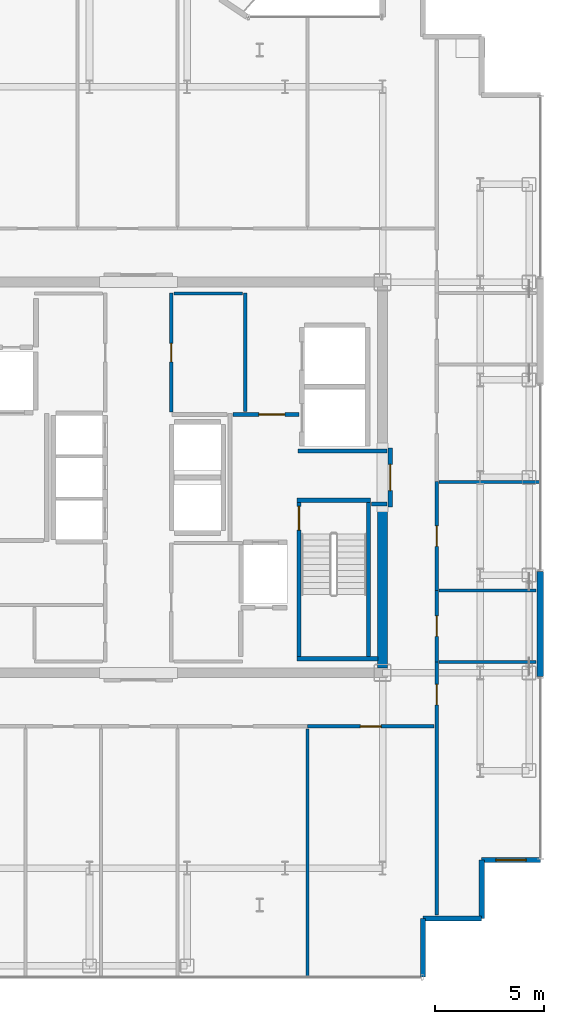
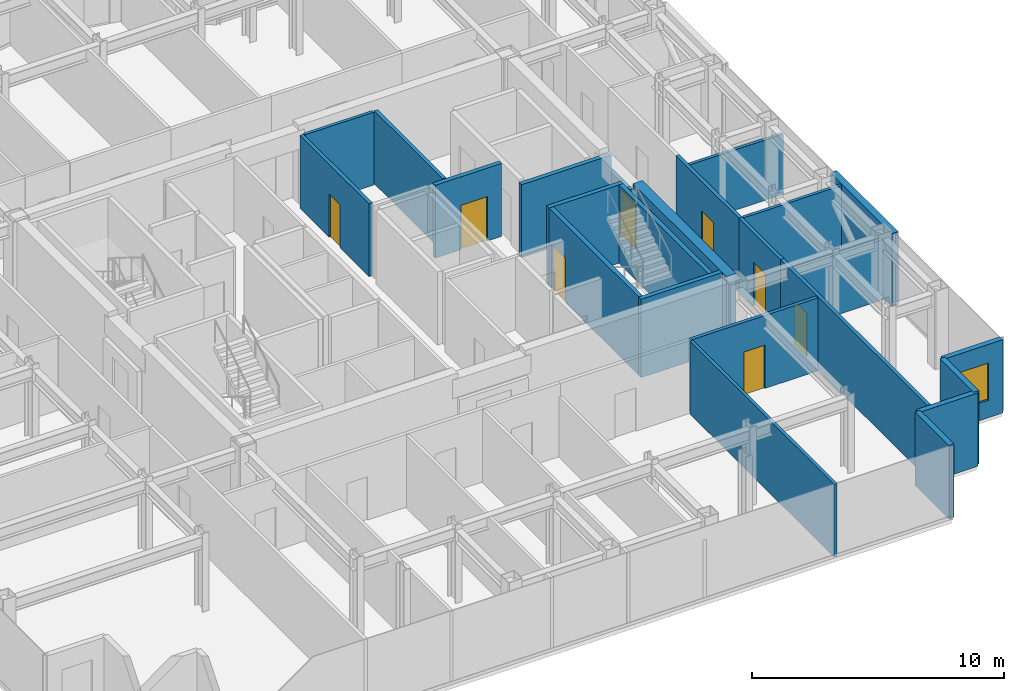
# One storey, part 13 of 16: 25 walls, 8 doors, 1 window, 9 openings.
"""IFC4 building model written with IfcOpenShell, lengths in metres."""

from ifc_helpers import new_model, si_unit, direction, frame, frame_2d, origin, place, context, subcontext, project, spatial, rectangle, extrude, source, transform, mapped, material, layer, layer_set, type_object, element, fill, save


model = new_model("IFC4")

# Units and contexts
model_context = context("Model", 3, precision=1e-05, world=origin(), true_north=direction((0.0, 1.0)))
body_context = subcontext(model_context, "Body", "Model", "MODEL_VIEW")
ifc_project = project(units=[si_unit("LENGTHUNIT", "METRE"), si_unit("AREAUNIT", "SQUARE_METRE"), si_unit("VOLUMEUNIT", "CUBIC_METRE"), si_unit("PLANEANGLEUNIT", "RADIAN"), si_unit("MASSUNIT", "GRAM", prefix="KILO")], contexts=[model_context])

# Site, building, storey
site_placement = place(None, origin())
site = spatial("IfcSite", under=ifc_project, at=site_placement, CompositionType="ELEMENT")
building_placement = place(site_placement, origin())
building = spatial("IfcBuilding", under=site, at=building_placement, Name="Nefas-Gora Pilgrimage Tower", CompositionType="ELEMENT")
storey_placement = place(building_placement, frame((0.0, 0.0, 287.39990234375)))
storey = spatial("IfcBuildingStorey", under=building, at=storey_placement, Name="L72", CompositionType="ELEMENT", Elevation=287.39990234375)

# Walls
ifc_material_1 = material(Name="Concrete C50/60", Category="concrete")
ifc_layer_1 = layer(ifc_material_1, 0.449951171875)
ifc_layer_set_1 = layer_set([ifc_layer_1], Name="Concrete C50/60")
wall_type_1 = type_object("IfcWallType", Name="SW-CORE-450", PredefinedType="SHEAR", material=ifc_layer_set_1)
shared_shape_1 = source(origin(), body_context, "Body", "SweptSolid", [
    extrude(rectangle(XDim=7.4248046875, YDim=0.449951171875, at=frame_2d((3.71240234375, 0.0))), origin(), (0.0, 0.0, 1.0), 3.800048828125),
])
wall_1_placement = place(storey_placement, frame((11.25, -8.77490234375, 0.0), z_axis=(0.0, 0.0, 1.0), x_axis=(0.0, 1.0, 0.0)))
element("IfcWall", 1, at=wall_1_placement, inside=storey, type_object=wall_type_1, Name="L72 Core Shear Wall E-South", PredefinedType="SHEAR", context=body_context, shape_type="MappedRepresentation", body=[
    mapped(shared_shape_1, transform((0.0, 0.0, 0.0), x_axis=(1.0, 0.0, 0.0), y_axis=(0.0, 1.0, 0.0), z_axis=(0.0, 0.0, 1.0), scale=1.0)),
])
ifc_material_2 = material(Name="Precast concrete C45/55", Category="concrete")
ifc_layer_2 = layer(ifc_material_2, 0.239990234375)
ifc_layer_set_2 = layer_set([ifc_layer_2], Name="Precast concrete C45/55")
wall_type_2 = type_object("IfcWallType", Name="EW-SERR-240", PredefinedType="SHEAR", material=ifc_layer_set_2)
shared_shape_2 = source(origin(), body_context, "Body", "SweptSolid", [
    extrude(rectangle(XDim=4.8798828125, YDim=0.300048828125, at=frame_2d((2.43994140625, 0.0))), origin(), (0.0, 0.0, 1.0), 3.550048828125),
])
wall_2_placement = place(storey_placement, frame((18.52001953125, -9.18994140625, 0.0), z_axis=(0.0, 0.0, 1.0), x_axis=(0.0, 1.0, 0.0)))
element("IfcWall", 2, at=wall_2_placement, inside=storey, type_object=wall_type_2, Name="L72 Braced-Tube Precast Shear Cladding 3", PredefinedType="SHEAR", context=body_context, shape_type="MappedRepresentation", body=[
    mapped(shared_shape_2, transform((0.0, 0.0, 0.0), x_axis=(1.0, 0.0, 0.0), y_axis=(0.0, 1.0, 0.0), z_axis=(0.0, 0.0, 1.0), scale=1.0)),
])

# Wall, opening, window
shared_shape_3 = source(origin(), body_context, "Body", "SweptSolid", [
    extrude(rectangle(XDim=2.699951171875, YDim=0.239990234375, at=frame_2d((1.35009765625, 0.0))), origin(), (0.0, 0.0, 1.0), 3.550048828125),
])
wall_3_placement = place(storey_placement, frame((15.820068359375, -17.6201171875, 0.0), z_axis=(0.0, 0.0, 1.0), x_axis=(1.0, 0.0, 0.0)))
wall_3 = element("IfcWall", 3, at=wall_3_placement, inside=storey, type_object=wall_type_2, Name="L72 Serrated Corner Shear Pier Wall 5", PredefinedType="SHEAR", context=body_context, shape_type="MappedRepresentation", body=[
    mapped(shared_shape_3, transform((0.0, 0.0, 0.0), x_axis=(1.0, 0.0, 0.0), y_axis=(0.0, 1.0, 0.0), z_axis=(0.0, 0.0, 1.0), scale=1.0)),
])
opening_1_placement = place(wall_3_placement, frame((0.64990234375, 0.0, 0.85009765625)))
opening_1 = element("IfcOpeningElement", 4, at=opening_1_placement, cuts=wall_3, Name="Opening W-V2", PredefinedType="OPENING", context=body_context, shape_type="SweptSolid", body=[
    extrude(rectangle(XDim=1.39990234375, YDim=1.800048828125, at=frame_2d((0.699951171875, 0.89990234375))), frame((0.0, 0.1298828125, 0.0), z_axis=(0.0, -1.0, 0.0), x_axis=(1.0, 0.0, 0.0)), (0.0, 0.0, 1.0), 0.260009765625),
])
ifc_material_3 = material(Name="Dark ceramic-fritted operable aluminium-glass window", Category="aluminium")
window_type = type_object("IfcWindowType", Name="WIN-VENT-1400x1800", PartitioningType="SINGLE_PANEL", PredefinedType="WINDOW", material=ifc_material_3)
shared_shape_4 = source(origin(), body_context, "Body", "SweptSolid", [
    extrude(rectangle(XDim=1.39990234375, YDim=1.800048828125, at=frame_2d((0.699951171875, 0.89990234375))), frame((0.0, 0.030029296875, 0.0), z_axis=(0.0, -1.0, 0.0), x_axis=(1.0, 0.0, 0.0)), (0.0, 0.0, 1.0), 0.06005859375),
])
window_placement = place(opening_1_placement, origin())
window = element("IfcWindow", 5, at=window_placement, inside=storey, type_object=window_type, Name="L72 Operable Parallel-Outswing Window 5", OverallHeight=1.800048828125, OverallWidth=1.39990234375, PartitioningType="SINGLE_PANEL", PredefinedType="WINDOW", context=body_context, shape_type="MappedRepresentation", body=[
    mapped(shared_shape_4, transform((0.0, 0.0, 0.0), x_axis=(1.0, 0.0, 0.0), y_axis=(0.0, 1.0, 0.0), z_axis=(0.0, 0.0, 1.0), scale=1.0)),
])
fill(opening_1, window)

# Walls
for number, where, z_axis, x_axis, name in (
    (6, (13.1201171875, -23.02001953125, 0.0), (0.0, 0.0, 1.0), (0.0, 1.0, 0.0), "L72 Serrated Corner Shear Pier Wall 29"),
    (7, (13.1201171875, -20.320068359375, 0.0), (0.0, 0.0, 1.0), (1.0, 0.0, 0.0), "L72 Serrated Corner Shear Pier Wall 30"),
    (8, (15.820068359375, -20.320068359375, 0.0), (0.0, 0.0, 1.0), (0.0, 1.0, 0.0), "L72 Serrated Corner Shear Pier Wall 31"),
):
    element("IfcWall", number, at=place(storey_placement, frame(where, z_axis=z_axis, x_axis=x_axis)), inside=storey, type_object=wall_type_2, Name=name, PredefinedType="SHEAR", context=body_context, shape_type="MappedRepresentation", body=[
        mapped(shared_shape_3, transform((0.0, 0.0, 0.0), x_axis=(1.0, 0.0, 0.0), y_axis=(0.0, 1.0, 0.0), z_axis=(0.0, 0.0, 1.0), scale=1.0)),
    ])
ifc_material_4 = material(Name="Concrete C45/55", Category="concrete")
ifc_layer_3 = layer(ifc_material_4, 0.199951171875)
ifc_layer_set_3 = layer_set([ifc_layer_3], Name="Concrete C45/55")
wall_type_3 = type_object("IfcWallType", Name="IW-STAIR-200", PredefinedType="SOLIDWALL", material=ifc_layer_set_3)
shared_shape_5 = source(origin(), body_context, "Body", "SweptSolid", [
    extrude(rectangle(XDim=3.39990234375, YDim=0.199951171875, at=frame_2d((1.699951171875, 0.0))), origin(), (0.0, 0.0, 1.0), 3.800048828125),
])
wall_4_placement = place(storey_placement, frame((7.300048828125, -1.050048828125, 0.0), z_axis=(0.0, 0.0, 1.0), x_axis=(1.0, 0.0, 0.0)))
element("IfcWall", 9, at=wall_4_placement, inside=storey, type_object=wall_type_3, Name="L72 Stairwell Shear Wall ST-02-near", PredefinedType="SOLIDWALL", context=body_context, shape_type="MappedRepresentation", body=[
    mapped(shared_shape_5, transform((0.0, 0.0, 0.0), x_axis=(1.0, 0.0, 0.0), y_axis=(0.0, 1.0, 0.0), z_axis=(0.0, 0.0, 1.0), scale=1.0)),
])

# Wall, opening, door
shared_shape_6 = source(origin(), body_context, "Body", "SweptSolid", [
    extrude(rectangle(XDim=7.10009765625, YDim=0.199951171875, at=frame_2d((3.550048828125, 0.0))), origin(), (0.0, 0.0, 1.0), 3.800048828125),
])
wall_5_placement = place(storey_placement, frame((7.39990234375, -1.14990234375, 0.0), z_axis=(0.0, 0.0, 1.0), x_axis=(0.0, -1.0, 0.0)))
wall_5 = element("IfcWall", 10, at=wall_5_placement, inside=storey, type_object=wall_type_3, Name="L72 Stairwell Shear Wall ST-02-left", PredefinedType="SOLIDWALL", context=body_context, shape_type="MappedRepresentation", body=[
    mapped(shared_shape_6, transform((0.0, 0.0, 0.0), x_axis=(1.0, 0.0, 0.0), y_axis=(0.0, 1.0, 0.0), z_axis=(0.0, 0.0, 1.0), scale=1.0)),
])
opening_2_placement = place(wall_5_placement, frame((0.179931640625, 0.0, 0.0)))
opening_2 = element("IfcOpeningElement", 11, at=opening_2_placement, cuts=wall_5, Name="Opening ID-ST1", PredefinedType="OPENING", context=body_context, shape_type="SweptSolid", body=[
    extrude(rectangle(XDim=1.10009765625, YDim=2.14990234375, at=frame_2d((0.550048828125, 1.074951171875))), frame((0.0, 0.10986328125, 0.0), z_axis=(0.0, -1.0, 0.0), x_axis=(1.0, 0.0, 0.0)), (0.0, 0.0, 1.0), 0.219970703125),
])
ifc_material_5 = material(Name="Painted galvanised steel fire stair door", Category="steel")
door_type_1 = type_object("IfcDoorType", Name="DR-INT-STAIR-1100", OperationType="NOTDEFINED", PredefinedType="DOOR", material=ifc_material_5)
shared_shape_7 = source(origin(), body_context, "Body", "SweptSolid", [
    extrude(rectangle(XDim=1.10009765625, YDim=2.14990234375, at=frame_2d((0.550048828125, 1.074951171875))), frame((0.0, 0.02490234375, 0.0), z_axis=(0.0, -1.0, 0.0), x_axis=(1.0, 0.0, 0.0)), (0.0, 0.0, 1.0), 0.050048828125),
])
door_1_placement = place(opening_2_placement, origin())
door_1 = element("IfcDoor", 12, at=door_1_placement, inside=storey, type_object=door_type_1, Name="L72 Protected Exit Stair Door ST-02", OperationType="SINGLE_SWING_LEFT", OverallHeight=2.14990234375, OverallWidth=1.10009765625, PredefinedType="DOOR", context=body_context, shape_type="MappedRepresentation", body=[
    mapped(shared_shape_7, transform((0.0, 0.0, 0.0), x_axis=(1.0, 0.0, 0.0), y_axis=(0.0, 1.0, 0.0), z_axis=(0.0, 0.0, 1.0), scale=1.0)),
])
fill(opening_2, door_1)

# Walls
wall_6_placement = place(storey_placement, frame((10.60009765625, -1.14990234375, 0.0), z_axis=(0.0, 0.0, 1.0), x_axis=(0.0, -1.0, 0.0)))
element("IfcWall", 13, at=wall_6_placement, inside=storey, type_object=wall_type_3, Name="L72 Stairwell Shear Wall ST-02-right", PredefinedType="SOLIDWALL", context=body_context, shape_type="MappedRepresentation", body=[
    mapped(shared_shape_6, transform((0.0, 0.0, 0.0), x_axis=(1.0, 0.0, 0.0), y_axis=(0.0, 1.0, 0.0), z_axis=(0.0, 0.0, 1.0), scale=1.0)),
])
shared_shape_8 = source(origin(), body_context, "Body", "SweptSolid", [
    extrude(rectangle(XDim=3.72998046875, YDim=0.199951171875, at=frame_2d((1.864990234375, 0.0))), origin(), (0.0, 0.0, 1.0), 3.800048828125),
])
wall_7_placement = place(storey_placement, frame((7.300048828125, -8.35009765625, 0.0), z_axis=(0.0, 0.0, 1.0), x_axis=(1.0, 0.0, 0.0)))
element("IfcWall", 14, at=wall_7_placement, inside=storey, type_object=wall_type_3, Name="L72 Stairwell Shear Wall ST-02-far", PredefinedType="SOLIDWALL", context=body_context, shape_type="MappedRepresentation", body=[
    mapped(shared_shape_8, transform((0.0, 0.0, 0.0), x_axis=(1.0, 0.0, 0.0), y_axis=(0.0, 1.0, 0.0), z_axis=(0.0, 0.0, 1.0), scale=1.0)),
])
ifc_material_6 = material(Name="Gypsum fire-rated shaftwall")
ifc_layer_4 = layer(ifc_material_6, 0.199951171875)
ifc_layer_set_4 = layer_set([ifc_layer_4], Name="Gypsum fire-rated shaftwall")
wall_type_4 = type_object("IfcWallType", Name="IW-FFLOB-200", PredefinedType="PARTITIONING", material=ifc_layer_set_4)
shared_shape_9 = source(origin(), body_context, "Body", "SweptSolid", [
    extrude(rectangle(XDim=0.719970703125, YDim=0.199951171875, at=frame_2d((0.35986328125, 0.0))), origin(), (0.0, 0.0, 1.0), 3.53515625),
])
wall_8_placement = place(storey_placement, frame((10.739990234375, -1.219970703125, 0.0), z_axis=(0.0, 0.0, 1.0), x_axis=(1.0, 0.0, 0.0)))
element("IfcWall", 15, at=wall_8_placement, inside=storey, type_object=wall_type_4, Name="L72 FF Lobby East Throat S Wall 15", PredefinedType="PARTITIONING", context=body_context, shape_type="MappedRepresentation", body=[
    mapped(shared_shape_9, transform((0.0, 0.0, 0.0), x_axis=(1.0, 0.0, 0.0), y_axis=(0.0, 1.0, 0.0), z_axis=(0.0, 0.0, 1.0), scale=1.0)),
])

# Wall, opening, door
shared_shape_10 = source(origin(), body_context, "Body", "SweptSolid", [
    extrude(rectangle(XDim=3.039794921875, YDim=0.199951171875, at=frame_2d((1.52001953125, 0.0))), origin(), (0.0, 0.0, 1.0), 3.53515625),
])
wall_9_placement = place(storey_placement, frame((4.360107421875, 2.89990234375, 0.0), z_axis=(0.0, 0.0, 1.0), x_axis=(1.0, 0.0, 0.0)))
wall_9 = element("IfcWall", 16, at=wall_9_placement, inside=storey, type_object=wall_type_4, Name="L72 FF Lobby East North Wall Wall 13", PredefinedType="PARTITIONING", context=body_context, shape_type="MappedRepresentation", body=[
    mapped(shared_shape_10, transform((0.0, 0.0, 0.0), x_axis=(1.0, 0.0, 0.0), y_axis=(0.0, 1.0, 0.0), z_axis=(0.0, 0.0, 1.0), scale=1.0)),
])
opening_3_placement = place(wall_9_placement, frame((1.18994140625, 0.0, 0.0)))
opening_3 = element("IfcOpeningElement", 17, at=opening_3_placement, cuts=wall_9, Name="Opening ID-PL1", PredefinedType="OPENING", context=body_context, shape_type="SweptSolid", body=[
    extrude(rectangle(XDim=1.199951171875, YDim=2.14990234375, at=frame_2d((0.60009765625, 1.074951171875))), frame((0.0, 0.10986328125, 0.0), z_axis=(0.0, -1.0, 0.0), x_axis=(1.0, 0.0, 0.0)), (0.0, 0.0, 1.0), 0.219970703125),
])
ifc_material_7 = material(Name="Heavy-duty steel plant room fire door", Category="steel")
door_type_2 = type_object("IfcDoorType", Name="DR-INT-PLANT-1200", OperationType="NOTDEFINED", PredefinedType="DOOR", material=ifc_material_7)
shared_shape_11 = source(origin(), body_context, "Body", "SweptSolid", [
    extrude(rectangle(XDim=1.199951171875, YDim=2.14990234375, at=frame_2d((0.60009765625, 1.074951171875))), frame((0.0, 0.02490234375, 0.0), z_axis=(0.0, -1.0, 0.0), x_axis=(1.0, 0.0, 0.0)), (0.0, 0.0, 1.0), 0.050048828125),
])
door_2_placement = place(opening_3_placement, origin())
door_2 = element("IfcDoor", 18, at=door_2_placement, inside=storey, type_object=door_type_2, Name="L72 Service Lift Lobby Door Door 5", OperationType="SINGLE_SWING_LEFT", OverallHeight=2.14990234375, OverallWidth=1.199951171875, PredefinedType="DOOR", context=body_context, shape_type="MappedRepresentation", body=[
    mapped(shared_shape_11, transform((0.0, 0.0, 0.0), x_axis=(1.0, 0.0, 0.0), y_axis=(0.0, 1.0, 0.0), z_axis=(0.0, 0.0, 1.0), scale=1.0)),
])
fill(opening_3, door_2)

# Walls
shared_shape_12 = source(origin(), body_context, "Body", "SweptSolid", [
    extrude(rectangle(XDim=4.10986328125, YDim=0.199951171875, at=frame_2d((2.054931640625, 0.0))), origin(), (0.0, 0.0, 1.0), 3.53515625),
])
wall_10_placement = place(storey_placement, frame((7.35009765625, 1.219970703125, 0.0), z_axis=(0.0, 0.0, 1.0), x_axis=(1.0, 0.0, 0.0)))
element("IfcWall", 19, at=wall_10_placement, inside=storey, type_object=wall_type_4, Name="L72 FF Lobby East Throat N Wall 14", PredefinedType="PARTITIONING", context=body_context, shape_type="MappedRepresentation", body=[
    mapped(shared_shape_12, transform((0.0, 0.0, 0.0), x_axis=(1.0, 0.0, 0.0), y_axis=(0.0, 1.0, 0.0), z_axis=(0.0, 0.0, 1.0), scale=1.0)),
])
ifc_material_8 = material(Name="Gypsum twin-stud partition")
ifc_layer_5 = layer(ifc_material_8, 0.139892578125)
ifc_layer_set_5 = layer_set([ifc_layer_5], Name="Gypsum twin-stud partition")
wall_type_5 = type_object("IfcWallType", Name="IW-UNIT-140", PredefinedType="PARTITIONING", material=ifc_layer_set_5)
shared_shape_13 = source(origin(), body_context, "Body", "SweptSolid", [
    extrude(rectangle(XDim=3.150146484375, YDim=0.139892578125, at=frame_2d((1.5751953125, 0.0))), origin(), (0.0, 0.0, 1.0), 3.53515625),
])
wall_11_placement = place(storey_placement, frame((1.639892578125, 8.47998046875, 0.0), z_axis=(0.0, 0.0, 1.0), x_axis=(1.0, 0.0, 0.0)))
element("IfcWall", 20, at=wall_11_placement, inside=storey, type_object=wall_type_5, Name="L72 Freed Bank-1 Amenity Supply Store Partition Wall 24", PredefinedType="PARTITIONING", context=body_context, shape_type="MappedRepresentation", body=[
    mapped(shared_shape_13, transform((0.0, 0.0, 0.0), x_axis=(1.0, 0.0, 0.0), y_axis=(0.0, 1.0, 0.0), z_axis=(0.0, 0.0, 1.0), scale=1.0)),
])

# Wall, opening, door
ifc_material_9 = material(Name="Gypsum acoustic stud partition")
ifc_layer_6 = layer(ifc_material_9, 0.159912109375)
ifc_layer_set_6 = layer_set([ifc_layer_6], Name="Gypsum acoustic stud partition")
wall_type_6 = type_object("IfcWallType", Name="IW-CORR-160", PredefinedType="PARTITIONING", material=ifc_layer_set_6)
shared_shape_14 = source(origin(), body_context, "Body", "SweptSolid", [
    extrude(rectangle(XDim=3.309814453125, YDim=0.159912109375, at=frame_2d((1.65478515625, 0.0))), origin(), (0.0, 0.0, 1.0), 3.53515625),
])
wall_12_placement = place(storey_placement, frame((13.739990234375, -8.5048828125, 0.0), z_axis=(0.0, 0.0, 1.0), x_axis=(0.0, 1.0, 0.0)))
wall_12 = element("IfcWall", 21, at=wall_12_placement, inside=storey, type_object=wall_type_6, Name="L72 Pastoral Chaplains Counselling Office Partition Wall 42", PredefinedType="PARTITIONING", context=body_context, shape_type="MappedRepresentation", body=[
    mapped(shared_shape_14, transform((0.0, 0.0, 0.0), x_axis=(1.0, 0.0, 0.0), y_axis=(0.0, 1.0, 0.0), z_axis=(0.0, 0.0, 1.0), scale=1.0)),
])
opening_4_placement = place(wall_12_placement, frame((1.179931640625, 0.0, 0.0)))
opening_4 = element("IfcOpeningElement", 22, at=opening_4_placement, cuts=wall_12, Name="Opening ID-GR1", PredefinedType="OPENING", context=body_context, shape_type="SweptSolid", body=[
    extrude(rectangle(XDim=0.949951171875, YDim=2.10009765625, at=frame_2d((0.47509765625, 1.050048828125))), frame((0.0, 0.08984375, 0.0), z_axis=(0.0, -1.0, 0.0), x_axis=(1.0, 0.0, 0.0)), (0.0, 0.0, 1.0), 0.179931640625),
])
ifc_material_10 = material(Name="Solid core oak fire-rated guest entrance door")
door_type_3 = type_object("IfcDoorType", Name="DR-INT-GUEST-950", OperationType="NOTDEFINED", PredefinedType="DOOR", material=ifc_material_10)
shared_shape_15 = source(origin(), body_context, "Body", "SweptSolid", [
    extrude(rectangle(XDim=0.949951171875, YDim=2.10009765625, at=frame_2d((0.47509765625, 1.050048828125))), frame((0.0, 0.02490234375, 0.0), z_axis=(0.0, -1.0, 0.0), x_axis=(1.0, 0.0, 0.0)), (0.0, 0.0, 1.0), 0.050048828125),
])
door_3_placement = place(opening_4_placement, origin())
door_3 = element("IfcDoor", 23, at=door_3_placement, inside=storey, type_object=door_type_3, Name="L72 Pastoral Chaplains Counselling Office Door 19", OperationType="SINGLE_SWING_LEFT", OverallHeight=2.10009765625, OverallWidth=0.949951171875, PredefinedType="DOOR", context=body_context, shape_type="MappedRepresentation", body=[
    mapped(shared_shape_15, transform((0.0, 0.0, 0.0), x_axis=(1.0, 0.0, 0.0), y_axis=(0.0, 1.0, 0.0), z_axis=(0.0, 0.0, 1.0), scale=1.0)),
])
fill(opening_4, door_3)

shared_shape_16 = source(origin(), body_context, "Body", "SweptSolid", [
    extrude(rectangle(XDim=5.8251953125, YDim=0.159912109375, at=frame_2d((2.91259765625, 0.0))), origin(), (0.0, 0.0, 1.0), 3.53515625),
])
wall_13_placement = place(storey_placement, frame((7.794921875, -11.469970703125, 0.0), z_axis=(0.0, 0.0, 1.0), x_axis=(1.0, 0.0, 0.0)))
wall_13 = element("IfcWall", 24, at=wall_13_placement, inside=storey, type_object=wall_type_6, Name="L72 Pilgrim Contemplative Lounge Partition Wall 69", PredefinedType="PARTITIONING", context=body_context, shape_type="MappedRepresentation", body=[
    mapped(shared_shape_16, transform((0.0, 0.0, 0.0), x_axis=(1.0, 0.0, 0.0), y_axis=(0.0, 1.0, 0.0), z_axis=(0.0, 0.0, 1.0), scale=1.0)),
])
opening_5_placement = place(wall_13_placement, frame((2.4375, 0.0, 0.0)))
opening_5 = element("IfcOpeningElement", 25, at=opening_5_placement, cuts=wall_13, Name="Opening ID-GR1", PredefinedType="OPENING", context=body_context, shape_type="SweptSolid", body=[
    extrude(rectangle(XDim=0.949951171875, YDim=2.10009765625, at=frame_2d((0.47509765625, 1.050048828125))), frame((0.0, 0.08984375, 0.0), z_axis=(0.0, -1.0, 0.0), x_axis=(1.0, 0.0, 0.0)), (0.0, 0.0, 1.0), 0.179931640625),
])
door_4_placement = place(opening_5_placement, origin())
door_4 = element("IfcDoor", 26, at=door_4_placement, inside=storey, type_object=door_type_3, Name="L72 Pilgrim Contemplative Lounge Door 34", OperationType="SINGLE_SWING_RIGHT", OverallHeight=2.10009765625, OverallWidth=0.949951171875, PredefinedType="DOOR", context=body_context, shape_type="MappedRepresentation", body=[
    mapped(shared_shape_15, transform((0.0, 0.0, 0.0), x_axis=(1.0, 0.0, 0.0), y_axis=(0.0, 1.0, 0.0), z_axis=(0.0, 0.0, 1.0), scale=1.0)),
])
fill(opening_5, door_4)

# Wall
shared_shape_17 = source(origin(), body_context, "Body", "SweptSolid", [
    extrude(rectangle(XDim=5.449951171875, YDim=0.159912109375, at=frame_2d((2.72509765625, 0.0))), origin(), (0.0, 0.0, 1.0), 3.53515625),
])
wall_14_placement = place(storey_placement, frame((4.919921875, 3.0400390625, 0.0), z_axis=(0.0, 0.0, 1.0), x_axis=(0.0, 1.0, 0.0)))
element("IfcWall", 27, at=wall_14_placement, inside=storey, type_object=wall_type_6, Name="L72 Service Lift Lobby West Wall Wall 18", PredefinedType="PARTITIONING", context=body_context, shape_type="MappedRepresentation", body=[
    mapped(shared_shape_17, transform((0.0, 0.0, 0.0), x_axis=(1.0, 0.0, 0.0), y_axis=(0.0, 1.0, 0.0), z_axis=(0.0, 0.0, 1.0), scale=1.0)),
])

# Wall, opening, door
shared_shape_18 = source(origin(), body_context, "Body", "SweptSolid", [
    extrude(rectangle(XDim=5.47998046875, YDim=0.159912109375, at=frame_2d((2.739990234375, 0.0))), origin(), (0.0, 0.0, 1.0), 3.53515625),
])
wall_15_placement = place(storey_placement, frame((1.52001953125, 3.010009765625, 0.0), z_axis=(0.0, 0.0, 1.0), x_axis=(0.0, 1.0, 0.0)))
wall_15 = element("IfcWall", 28, at=wall_15_placement, inside=storey, type_object=wall_type_6, Name="L72 Freed Bank-1 Amenity Supply Store Wall 23", PredefinedType="PARTITIONING", context=body_context, shape_type="MappedRepresentation", body=[
    mapped(shared_shape_18, transform((0.0, 0.0, 0.0), x_axis=(1.0, 0.0, 0.0), y_axis=(0.0, 1.0, 0.0), z_axis=(0.0, 0.0, 1.0), scale=1.0)),
])
opening_6_placement = place(wall_15_placement, frame((2.31494140625, 0.0, 0.0)))
opening_6 = element("IfcOpeningElement", 29, at=opening_6_placement, cuts=wall_15, Name="Opening ID-BT1", PredefinedType="OPENING", context=body_context, shape_type="SweptSolid", body=[
    extrude(rectangle(XDim=0.85009765625, YDim=2.10009765625, at=frame_2d((0.425048828125, 1.050048828125))), frame((0.0, 0.08984375, 0.0), z_axis=(0.0, -1.0, 0.0), x_axis=(1.0, 0.0, 0.0)), (0.0, 0.0, 1.0), 0.179931640625),
])
ifc_material_11 = material(Name="Moisture-resistant fire-rated timber door", Category="wood")
door_type_4 = type_object("IfcDoorType", Name="DR-INT-BATH-850", OperationType="NOTDEFINED", PredefinedType="DOOR", material=ifc_material_11)
shared_shape_19 = source(origin(), body_context, "Body", "SweptSolid", [
    extrude(rectangle(XDim=0.85009765625, YDim=2.10009765625, at=frame_2d((0.425048828125, 1.050048828125))), frame((0.0, 0.02490234375, 0.0), z_axis=(0.0, -1.0, 0.0), x_axis=(1.0, 0.0, 0.0)), (0.0, 0.0, 1.0), 0.050048828125),
])
door_5_placement = place(opening_6_placement, origin())
door_5 = element("IfcDoor", 30, at=door_5_placement, inside=storey, type_object=door_type_4, Name="L72 Freed Bank-1 Amenity Supply Store Door 11", OperationType="SINGLE_SWING_LEFT", OverallHeight=2.10009765625, OverallWidth=0.85009765625, PredefinedType="DOOR", context=body_context, shape_type="MappedRepresentation", body=[
    mapped(shared_shape_19, transform((0.0, 0.0, 0.0), x_axis=(1.0, 0.0, 0.0), y_axis=(0.0, 1.0, 0.0), z_axis=(0.0, 0.0, 1.0), scale=1.0)),
])
fill(opening_6, door_5)

shared_shape_20 = source(origin(), body_context, "Body", "SweptSolid", [
    extrude(rectangle(XDim=5.010009765625, YDim=0.159912109375, at=frame_2d((2.5048828125, 0.0))), origin(), (0.0, 0.0, 1.0), 3.53515625),
])
wall_16_placement = place(storey_placement, frame((13.739990234375, -5.205078125, 0.0), z_axis=(0.0, 0.0, 1.0), x_axis=(0.0, 1.0, 0.0)))
wall_16 = element("IfcWall", 31, at=wall_16_placement, inside=storey, type_object=wall_type_6, Name="L72 Pilgrim Contemplative Lounge Partition Wall 44", PredefinedType="PARTITIONING", context=body_context, shape_type="MappedRepresentation", body=[
    mapped(shared_shape_20, transform((0.0, 0.0, 0.0), x_axis=(1.0, 0.0, 0.0), y_axis=(0.0, 1.0, 0.0), z_axis=(0.0, 0.0, 1.0), scale=1.0)),
])
opening_7_placement = place(wall_16_placement, frame((2.030029296875, 0.0, 0.0)))
opening_7 = element("IfcOpeningElement", 32, at=opening_7_placement, cuts=wall_16, Name="Opening ID-GR1", PredefinedType="OPENING", context=body_context, shape_type="SweptSolid", body=[
    extrude(rectangle(XDim=0.949951171875, YDim=2.10009765625, at=frame_2d((0.47509765625, 1.050048828125))), frame((0.0, 0.08984375, 0.0), z_axis=(0.0, -1.0, 0.0), x_axis=(1.0, 0.0, 0.0)), (0.0, 0.0, 1.0), 0.179931640625),
])
door_6_placement = place(opening_7_placement, origin())
door_6 = element("IfcDoor", 33, at=door_6_placement, inside=storey, type_object=door_type_3, Name="L72 Pilgrim Contemplative Lounge Door 20", OperationType="SINGLE_SWING_RIGHT", OverallHeight=2.10009765625, OverallWidth=0.949951171875, PredefinedType="DOOR", context=body_context, shape_type="MappedRepresentation", body=[
    mapped(shared_shape_15, transform((0.0, 0.0, 0.0), x_axis=(1.0, 0.0, 0.0), y_axis=(0.0, 1.0, 0.0), z_axis=(0.0, 0.0, 1.0), scale=1.0)),
])
fill(opening_7, door_6)

shared_shape_21 = source(origin(), body_context, "Body", "SweptSolid", [
    extrude(rectangle(XDim=2.7001953125, YDim=0.199951171875, at=frame_2d((1.35009765625, 0.0))), origin(), (0.0, 0.0, 1.0), 2.625),
])
wall_17_placement = place(storey_placement, frame((11.60009765625, -1.35009765625, 0.0), z_axis=(0.0, 0.0, 1.0), x_axis=(0.0, 1.0, 0.0)))
wall_17 = element("IfcWall", 34, at=wall_17_placement, inside=storey, type_object=wall_type_4, Name="L72 FF Lobby East Portal Wall 10", PredefinedType="PARTITIONING", context=body_context, shape_type="MappedRepresentation", body=[
    mapped(shared_shape_21, transform((0.0, 0.0, 0.0), x_axis=(1.0, 0.0, 0.0), y_axis=(0.0, 1.0, 0.0), z_axis=(0.0, 0.0, 1.0), scale=1.0)),
])
opening_8_placement = place(wall_17_placement, frame((0.75, 0.0, 0.0)))
opening_8 = element("IfcOpeningElement", 35, at=opening_8_placement, cuts=wall_17, Name="Opening ID-FF1", PredefinedType="OPENING", context=body_context, shape_type="SweptSolid", body=[
    extrude(rectangle(XDim=1.199951171875, YDim=2.14990234375, at=frame_2d((0.60009765625, 1.074951171875))), frame((0.0, 0.10986328125, 0.0), z_axis=(0.0, -1.0, 0.0), x_axis=(1.0, 0.0, 0.0)), (0.0, 0.0, 1.0), 0.219970703125),
])
ifc_material_12 = material(Name="Smoke-sealed steel firefighting lobby door", Category="steel")
door_type_5 = type_object("IfcDoorType", Name="DR-INT-FFLOB-1200", OperationType="NOTDEFINED", PredefinedType="DOOR", material=ifc_material_12)
door_7_placement = place(opening_8_placement, origin())
door_7 = element("IfcDoor", 36, at=door_7_placement, inside=storey, type_object=door_type_5, Name="L72 FF Lobby East Portal Door 4", OperationType="SINGLE_SWING_RIGHT", OverallHeight=2.14990234375, OverallWidth=1.199951171875, PredefinedType="DOOR", context=body_context, shape_type="MappedRepresentation", body=[
    mapped(shared_shape_11, transform((0.0, 0.0, 0.0), x_axis=(1.0, 0.0, 0.0), y_axis=(0.0, 1.0, 0.0), z_axis=(0.0, 0.0, 1.0), scale=1.0)),
])
fill(opening_8, door_7)

# Wall
shared_shape_22 = source(origin(), body_context, "Body", "SweptSolid", [
    extrude(rectangle(XDim=4.679931640625, YDim=0.139892578125, at=frame_2d((2.33984375, 0.0))), origin(), (0.0, 0.0, 1.0), 2.925048828125),
])
wall_18_placement = place(storey_placement, frame((13.860107421875, -0.205078125, 0.0), z_axis=(0.0, 0.0, 1.0), x_axis=(1.0, 0.0, 0.0)))
element("IfcWall", 37, at=wall_18_placement, inside=storey, type_object=wall_type_5, Name="L72 Pilgrim Contemplative Lounge Partition Wall 45", PredefinedType="PARTITIONING", context=body_context, shape_type="MappedRepresentation", body=[
    mapped(shared_shape_22, transform((0.0, 0.0, 0.0), x_axis=(1.0, 0.0, 0.0), y_axis=(0.0, 1.0, 0.0), z_axis=(0.0, 0.0, 1.0), scale=1.0)),
])

# Wall, opening, door
shared_shape_23 = source(origin(), body_context, "Body", "SweptSolid", [
    extrude(rectangle(XDim=11.664794921875, YDim=0.159912109375, at=frame_2d((5.83251953125, 0.0))), origin(), (0.0, 0.0, 1.0), 3.53515625),
])
wall_19_placement = place(storey_placement, frame((13.739990234375, -20.159912109375, 0.0), z_axis=(0.0, 0.0, 1.0), x_axis=(0.0, 1.0, 0.0)))
wall_19 = element("IfcWall", 38, at=wall_19_placement, inside=storey, type_object=wall_type_6, Name="L72 Pilgrim Fellowship Seminar Room Partition Wall 40", PredefinedType="PARTITIONING", context=body_context, shape_type="MappedRepresentation", body=[
    mapped(shared_shape_23, transform((0.0, 0.0, 0.0), x_axis=(1.0, 0.0, 0.0), y_axis=(0.0, 1.0, 0.0), z_axis=(0.0, 0.0, 1.0), scale=1.0)),
])
opening_9_placement = place(wall_19_placement, frame((9.6826171875, 0.0, 0.0)))
opening_9 = element("IfcOpeningElement", 39, at=opening_9_placement, cuts=wall_19, Name="Opening ID-GR1", PredefinedType="OPENING", context=body_context, shape_type="SweptSolid", body=[
    extrude(rectangle(XDim=0.949951171875, YDim=2.10009765625, at=frame_2d((0.47509765625, 1.050048828125))), frame((0.0, 0.08984375, 0.0), z_axis=(0.0, -1.0, 0.0), x_axis=(1.0, 0.0, 0.0)), (0.0, 0.0, 1.0), 0.179931640625),
])
door_8_placement = place(opening_9_placement, origin())
door_8 = element("IfcDoor", 40, at=door_8_placement, inside=storey, type_object=door_type_3, Name="L72 Pilgrim Fellowship Seminar Room Door 18", OperationType="SINGLE_SWING_RIGHT", OverallHeight=2.10009765625, OverallWidth=0.949951171875, PredefinedType="DOOR", context=body_context, shape_type="MappedRepresentation", body=[
    mapped(shared_shape_15, transform((0.0, 0.0, 0.0), x_axis=(1.0, 0.0, 0.0), y_axis=(0.0, 1.0, 0.0), z_axis=(0.0, 0.0, 1.0), scale=1.0)),
])
fill(opening_9, door_8)

# Walls
shared_shape_24 = source(origin(), body_context, "Body", "SweptSolid", [
    extrude(rectangle(XDim=11.449951171875, YDim=0.139892578125, at=frame_2d((5.72509765625, 0.0))), origin(), (0.0, 0.0, 1.0), 3.53515625),
])
wall_20_placement = place(storey_placement, frame((7.794921875, -23.0400390625, 0.0), z_axis=(0.0, 0.0, 1.0), x_axis=(0.0, 1.0, 0.0)))
element("IfcWall", 41, at=wall_20_placement, inside=storey, type_object=wall_type_5, Name="L72 Pilgrim Contemplative Lounge Partition Wall 68", PredefinedType="PARTITIONING", context=body_context, shape_type="MappedRepresentation", body=[
    mapped(shared_shape_24, transform((0.0, 0.0, 0.0), x_axis=(1.0, 0.0, 0.0), y_axis=(0.0, 1.0, 0.0), z_axis=(0.0, 0.0, 1.0), scale=1.0)),
])
shared_shape_25 = source(origin(), body_context, "Body", "SweptSolid", [
    extrude(rectangle(XDim=4.469970703125, YDim=0.139892578125, at=frame_2d((2.23486328125, 0.0))), origin(), (0.0, 0.0, 1.0), 2.925048828125),
])
wall_21_placement = place(storey_placement, frame((13.860107421875, -8.5048828125, 0.0), z_axis=(0.0, 0.0, 1.0), x_axis=(1.0, 0.0, 0.0)))
element("IfcWall", 42, at=wall_21_placement, inside=storey, type_object=wall_type_5, Name="L72 Pilgrim Fellowship Seminar Room Partition Wall 41", PredefinedType="PARTITIONING", context=body_context, shape_type="MappedRepresentation", body=[
    mapped(shared_shape_25, transform((0.0, 0.0, 0.0), x_axis=(1.0, 0.0, 0.0), y_axis=(0.0, 1.0, 0.0), z_axis=(0.0, 0.0, 1.0), scale=1.0)),
])
shared_shape_26 = source(origin(), body_context, "Body", "SweptSolid", [
    extrude(rectangle(XDim=4.469970703125, YDim=0.139892578125, at=frame_2d((2.23486328125, 0.0))), origin(), (0.0, 0.0, 1.0), 3.53515625),
])
wall_22_placement = place(storey_placement, frame((13.860107421875, -5.205078125, 0.0), z_axis=(0.0, 0.0, 1.0), x_axis=(1.0, 0.0, 0.0)))
element("IfcWall", 43, at=wall_22_placement, inside=storey, type_object=wall_type_5, Name="L72 Pastoral Chaplains Counselling Office Partition Wall 43", PredefinedType="PARTITIONING", context=body_context, shape_type="MappedRepresentation", body=[
    mapped(shared_shape_26, transform((0.0, 0.0, 0.0), x_axis=(1.0, 0.0, 0.0), y_axis=(0.0, 1.0, 0.0), z_axis=(0.0, 0.0, 1.0), scale=1.0)),
])

save(model, "model.ifc")
